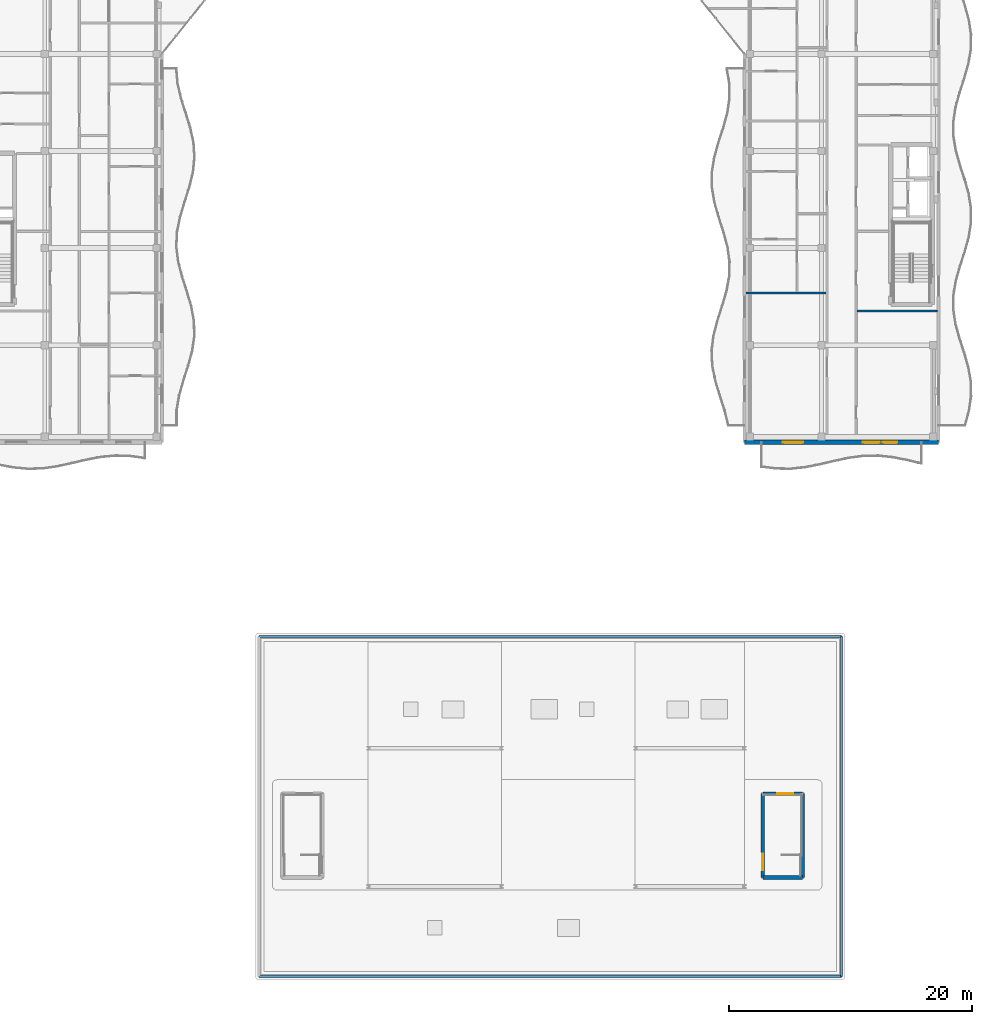
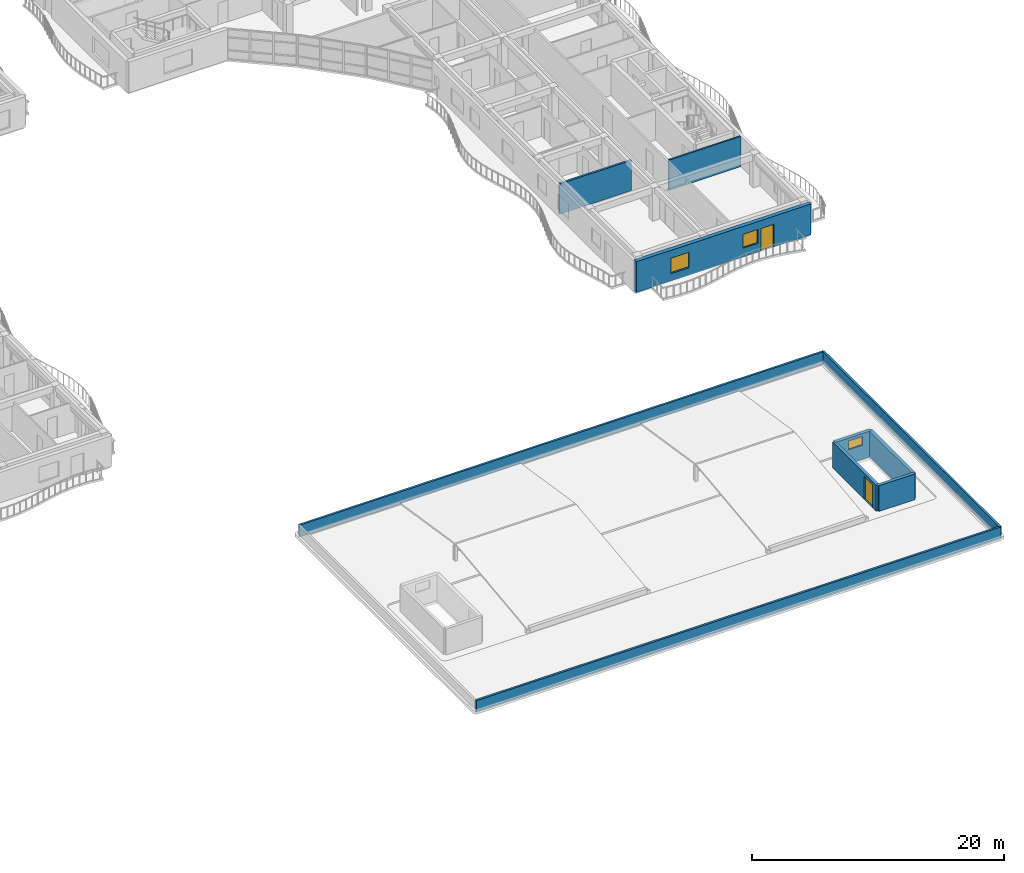
# One storey, part 49 of 79: 10 walls, 3 windows, 2 doors, 5 openings.
"""IFC4 building model written with IfcOpenShell, lengths in metres."""

from ifc_helpers import new_model, si_unit, direction, frame, frame_2d, origin, place, context, subcontext, project, spatial, rectangle, extrude, material, layer, layer_set, type_object, element, fill, save


model = new_model("IFC4")

# Units and contexts
model_context = context("Model", 3, precision=1e-05, world=origin(), true_north=direction((0.0, 1.0)))
body_context = subcontext(model_context, "Body", "Model", "MODEL_VIEW")
ifc_project = project(units=[si_unit("LENGTHUNIT", "METRE"), si_unit("AREAUNIT", "SQUARE_METRE"), si_unit("VOLUMEUNIT", "CUBIC_METRE"), si_unit("PLANEANGLEUNIT", "RADIAN"), si_unit("MASSUNIT", "GRAM", prefix="KILO")], contexts=[model_context])

# Site, building, storey
site_placement = place(None, origin())
site = spatial("IfcSite", under=ifc_project, at=site_placement, CompositionType="ELEMENT")
building_placement = place(site_placement, origin())
building = spatial("IfcBuilding", under=site, at=building_placement, Name="Keldmere Railside Commons", CompositionType="ELEMENT")
storey_placement = place(building_placement, frame((0.0, 0.0, 10.56005859375)))
storey = spatial("IfcBuildingStorey", under=building, at=storey_placement, Name="L03", CompositionType="ELEMENT", Elevation=10.56005859375)

# Wall
ifc_material_1 = material(Name="Acoustic Gypsum Board Partition", Category="gypsum")
ifc_layer_1 = layer(ifc_material_1, 0.179931640625, Name="Acoustic Demising Partition 180")
ifc_layer_set_1 = layer_set([ifc_layer_1], Name="Acoustic Gypsum Board Partition")
wall_type_1 = type_object("IfcWallType", Name="Acoustic Demising Partition 180", PredefinedType="PARTITIONING", material=ifc_layer_set_1)
wall_1_placement = place(storey_placement, frame((168.1298828125, 68.31005859375, 0.0), z_axis=(0.0, 0.0, 1.0), x_axis=(1.0, 0.0, 0.0)))
element("IfcWall", 1, at=wall_1_placement, inside=storey, type_object=wall_type_1, Name="IW-1 IW-L03-1517", PredefinedType="PARTITIONING", context=body_context, shape_type="SweptSolid", body=[
    extrude(rectangle(XDim=6.590087890625, YDim=0.179931640625, at=frame_2d((3.294921875, 0.0))), origin(), (0.0, 0.0, 1.0), 2.93505859375),
])

# Wall, openings, door, windows
ifc_material_2 = material(Name="Concrete H-35 (C35/45)", Category="concrete")
ifc_layer_2 = layer(ifc_material_2, 0.360107421875, Name="Exterior Shear Wall 360")
ifc_layer_set_2 = layer_set([ifc_layer_2], Name="Concrete H-35 (C35/45)")
wall_type_2 = type_object("IfcWallType", Name="Exterior Shear Wall 360", PredefinedType="SHEAR", material=ifc_layer_set_2)
wall_2_placement = place(storey_placement, frame((184.0, 56.0, 0.0), z_axis=(0.0, 0.0, 1.0), x_axis=(-1.0, 0.0, 0.0)))
wall_2 = element("IfcWall", 2, at=wall_2_placement, inside=storey, type_object=wall_type_2, Name="ESW-1 EXTA-L03-0896", PredefinedType="SHEAR", context=body_context, shape_type="SweptSolid", body=[
    extrude(rectangle(XDim=16.0, YDim=0.360107421875, at=frame_2d((8.0, 0.0))), origin(), (0.0, 0.0, 1.0), 2.97998046875),
])
opening_1_placement = place(wall_2_placement, frame((3.39990234375, 0.0, 0.0)))
opening_1 = element("IfcOpeningElement", 3, at=opening_1_placement, cuts=wall_2, Name="Opening BD-01", PredefinedType="OPENING", context=body_context, shape_type="SweptSolid", body=[
    extrude(rectangle(XDim=1.199951171875, YDim=2.199951171875, at=frame_2d((0.60009765625, 1.10009765625))), frame((0.0, 0.18994140625, 0.0), z_axis=(0.0, -1.0, 0.0), x_axis=(1.0, 0.0, 0.0)), (0.0, 0.0, 1.0), 0.380126953125),
])
opening_2_placement = place(wall_2_placement, frame((4.85009765625, 0.0, 0.8701171875)))
opening_2 = element("IfcOpeningElement", 4, at=opening_2_placement, cuts=wall_2, Name="Opening WN-08", PredefinedType="OPENING", context=body_context, shape_type="SweptSolid", body=[
    extrude(rectangle(XDim=1.39990234375, YDim=1.35009765625, at=frame_2d((0.699951171875, 0.675048828125))), frame((0.0, 0.18994140625, 0.0), z_axis=(0.0, -1.0, 0.0), x_axis=(1.0, 0.0, 0.0)), (0.0, 0.0, 1.0), 0.380126953125),
])
opening_3_placement = place(wall_2_placement, frame((11.159912109375, 0.0, 0.719970703125)))
opening_3 = element("IfcOpeningElement", 5, at=opening_3_placement, cuts=wall_2, Name="Opening WN-40", PredefinedType="OPENING", context=body_context, shape_type="SweptSolid", body=[
    extrude(rectangle(XDim=1.679931640625, YDim=1.5, at=frame_2d((0.83984375, 0.75))), frame((0.0, 0.18994140625, 0.0), z_axis=(0.0, -1.0, 0.0), x_axis=(1.0, 0.0, 0.0)), (0.0, 0.0, 1.0), 0.380126953125),
])
ifc_material_3 = material(Name="Thermally Broken Aluminium", Category="aluminium")
door_type_1 = type_object("IfcDoorType", Name="Apartment Living Wave-Balcony Glazed Door 1200x2200", OperationType="NOTDEFINED", PredefinedType="DOOR", material=ifc_material_3)
door_1_placement = place(opening_1_placement, origin())
door_1 = element("IfcDoor", 6, at=door_1_placement, inside=storey, type_object=door_type_1, Name="BD-01 DR-L03-0232", OperationType="SINGLE_SWING_RIGHT", OverallHeight=2.199951171875, OverallWidth=1.199951171875, PredefinedType="DOOR", context=body_context, shape_type="SweptSolid", body=[
    extrude(rectangle(XDim=1.199951171875, YDim=2.199951171875, at=frame_2d((0.60009765625, 1.10009765625))), frame((0.0, 0.02490234375, 0.0), z_axis=(0.0, -1.0, 0.0), x_axis=(1.0, 0.0, 0.0)), (0.0, 0.0, 1.0), 0.050048828125),
])
fill(opening_1, door_1)
ifc_material_4 = material(Name="Low-E Insulated Double Glazing", Category="glass")
window_type_1 = type_object("IfcWindowType", Name="Primary Bedroom East/West Window 1400x1350", PartitioningType="SINGLE_PANEL", PredefinedType="WINDOW", material=ifc_material_4)
window_1_placement = place(opening_2_placement, origin())
window_1 = element("IfcWindow", 7, at=window_1_placement, inside=storey, type_object=window_type_1, Name="WN-08 WIN-L03-0623", OverallHeight=1.35009765625, OverallWidth=1.39990234375, PartitioningType="SINGLE_PANEL", PredefinedType="WINDOW", context=body_context, shape_type="SweptSolid", body=[
    extrude(rectangle(XDim=1.39990234375, YDim=1.35009765625, at=frame_2d((0.699951171875, 0.675048828125))), frame((0.0, 0.030029296875, 0.0), z_axis=(0.0, -1.0, 0.0), x_axis=(1.0, 0.0, 0.0)), (0.0, 0.0, 1.0), 0.06005859375),
])
fill(opening_2, window_1)
window_type_2 = type_object("IfcWindowType", Name="Two-Bed Dining Casement Window 1680x1500", PartitioningType="SINGLE_PANEL", PredefinedType="WINDOW", material=ifc_material_4)
window_2_placement = place(opening_3_placement, origin())
window_2 = element("IfcWindow", 8, at=window_2_placement, inside=storey, type_object=window_type_2, Name="WN-40 WIN-L03-0624", OverallHeight=1.5, OverallWidth=1.679931640625, PartitioningType="SINGLE_PANEL", PredefinedType="WINDOW", context=body_context, shape_type="SweptSolid", body=[
    extrude(rectangle(XDim=1.679931640625, YDim=1.5, at=frame_2d((0.83984375, 0.75))), frame((0.0, 0.030029296875, 0.0), z_axis=(0.0, -1.0, 0.0), x_axis=(1.0, 0.0, 0.0)), (0.0, 0.0, 1.0), 0.06005859375),
])
fill(opening_3, window_2)

# Walls
ifc_layer_3 = layer(ifc_material_2, 0.300048828125, Name="Interior Shear Wall 300")
ifc_layer_set_3 = layer_set([ifc_layer_3], Name="Concrete H-35 (C35/45)")
wall_type_3 = type_object("IfcWallType", Name="Interior Shear Wall 300", PredefinedType="SHEAR", material=ifc_layer_set_3)
wall_3_placement = place(storey_placement, frame((172.800048828125, 20.14990234375, 0.0), z_axis=(0.0, 0.0, 1.0), x_axis=(-1.0, 0.0, 0.0)))
element("IfcWall", 9, at=wall_3_placement, inside=storey, type_object=wall_type_3, Name="ISW-2 WAL-ST-M2-L03-S", PredefinedType="SHEAR", context=body_context, shape_type="SweptSolid", body=[
    extrude(rectangle(XDim=3.2900390625, YDim=0.300048828125, at=frame_2d((1.64501953125, 0.0))), origin(), (0.0, 0.0, 1.0), 2.5),
])
wall_4_placement = place(storey_placement, frame((172.800048828125, 27.050048828125, 0.0), z_axis=(0.0, 0.0, 1.0), x_axis=(0.0, -1.0, 0.0)))
element("IfcWall", 10, at=wall_4_placement, inside=storey, type_object=wall_type_3, Name="ISW-2 WAL-ST-M2-L03-E", PredefinedType="SHEAR", context=body_context, shape_type="SweptSolid", body=[
    extrude(rectangle(XDim=6.900146484375, YDim=0.300048828125, at=frame_2d((3.4501953125, 0.0))), origin(), (0.0, 0.0, 1.0), 2.5),
])

# Wall, opening, window
wall_5_placement = place(storey_placement, frame((169.510009765625, 27.050048828125, 0.0), z_axis=(0.0, 0.0, 1.0), x_axis=(1.0, 0.0, 0.0)))
wall_5 = element("IfcWall", 11, at=wall_5_placement, inside=storey, type_object=wall_type_3, Name="ISW-2 WAL-ST-M2-L03-N", PredefinedType="SHEAR", context=body_context, shape_type="SweptSolid", body=[
    extrude(rectangle(XDim=3.2900390625, YDim=0.300048828125, at=frame_2d((1.64501953125, 0.0))), origin(), (0.0, 0.0, 1.0), 2.5),
])
opening_4_placement = place(wall_5_placement, frame((1.199951171875, 0.0, 1.3701171875)))
opening_4 = element("IfcOpeningElement", 12, at=opening_4_placement, cuts=wall_5, Name="Opening WN-37", PredefinedType="OPENING", context=body_context, shape_type="SweptSolid", body=[
    extrude(rectangle(XDim=1.300048828125, YDim=0.85009765625, at=frame_2d((0.64990234375, 0.425048828125))), frame((0.0, 0.159912109375, 0.0), z_axis=(0.0, -1.0, 0.0), x_axis=(1.0, 0.0, 0.0)), (0.0, 0.0, 1.0), 0.320068359375),
])
window_type_3 = type_object("IfcWindowType", Name="Headhouse Louvre-Glazed Clerestory 1300x850", PartitioningType="SINGLE_PANEL", PredefinedType="WINDOW", material=ifc_material_4)
window_3_placement = place(opening_4_placement, origin())
window_3 = element("IfcWindow", 13, at=window_3_placement, inside=storey, type_object=window_type_3, Name="WN-37 WIN-L03-0848", OverallHeight=0.85009765625, OverallWidth=1.300048828125, PartitioningType="SINGLE_PANEL", PredefinedType="WINDOW", context=body_context, shape_type="SweptSolid", body=[
    extrude(rectangle(XDim=1.300048828125, YDim=0.85009765625, at=frame_2d((0.64990234375, 0.425048828125))), frame((0.0, 0.030029296875, 0.0), z_axis=(0.0, -1.0, 0.0), x_axis=(1.0, 0.0, 0.0)), (0.0, 0.0, 1.0), 0.06005859375),
])
fill(opening_4, window_3)

# Wall, opening, door
wall_6_placement = place(storey_placement, frame((169.510009765625, 20.14990234375, 0.0), z_axis=(0.0, 0.0, 1.0), x_axis=(0.0, 1.0, 0.0)))
wall_6 = element("IfcWall", 14, at=wall_6_placement, inside=storey, type_object=wall_type_3, Name="ISW-2 WAL-ST-M2-L03-W", PredefinedType="SHEAR", context=body_context, shape_type="SweptSolid", body=[
    extrude(rectangle(XDim=6.900146484375, YDim=0.300048828125, at=frame_2d((3.4501953125, 0.0))), origin(), (0.0, 0.0, 1.0), 2.5),
])
opening_5_placement = place(wall_6_placement, frame((0.60009765625, 0.0, 0.0)))
opening_5 = element("IfcOpeningElement", 15, at=opening_5_placement, cuts=wall_6, Name="Opening BD-03", PredefinedType="OPENING", context=body_context, shape_type="SweptSolid", body=[
    extrude(rectangle(XDim=1.35009765625, YDim=2.199951171875, at=frame_2d((0.675048828125, 1.10009765625))), frame((0.0, 0.159912109375, 0.0), z_axis=(0.0, -1.0, 0.0), x_axis=(1.0, 0.0, 0.0)), (0.0, 0.0, 1.0), 0.320068359375),
])
door_type_2 = type_object("IfcDoorType", Name="Planted Roof-Terrace Lounge Door 1350x2200", OperationType="NOTDEFINED", PredefinedType="DOOR", material=ifc_material_3)
door_2_placement = place(opening_5_placement, origin())
door_2 = element("IfcDoor", 16, at=door_2_placement, inside=storey, type_object=door_type_2, Name="BD-03 Arcade Roof Terrace Door 2", OperationType="SINGLE_SWING_LEFT", OverallHeight=2.199951171875, OverallWidth=1.35009765625, PredefinedType="DOOR", context=body_context, shape_type="SweptSolid", body=[
    extrude(rectangle(XDim=1.35009765625, YDim=2.199951171875, at=frame_2d((0.675048828125, 1.10009765625))), frame((0.0, 0.02490234375, 0.0), z_axis=(0.0, -1.0, 0.0), x_axis=(1.0, 0.0, 0.0)), (0.0, 0.0, 1.0), 0.050048828125),
])
fill(opening_5, door_2)

# Walls
ifc_layer_4 = layer(ifc_material_1, 0.14990234375, Name="Lobby Rated Partition 150")
ifc_layer_set_4 = layer_set([ifc_layer_4], Name="Acoustic Gypsum Board Partition")
wall_type_4 = type_object("IfcWallType", Name="Lobby Rated Partition 150", PredefinedType="PARTITIONING", material=ifc_layer_set_4)
wall_7_placement = place(storey_placement, frame((177.280029296875, 66.820068359375, 0.0), z_axis=(0.0, 0.0, 1.0), x_axis=(1.0, 0.0, 0.0)))
element("IfcWall", 17, at=wall_7_placement, inside=storey, type_object=wall_type_4, Name="IW-3 IW-L03-1506", PredefinedType="PARTITIONING", context=body_context, shape_type="SweptSolid", body=[
    extrude(rectangle(XDim=6.590087890625, YDim=0.14990234375, at=frame_2d((3.294921875, 0.0))), origin(), (0.0, 0.0, 1.0), 2.93505859375),
])
ifc_material_5 = material(Name="Architectural Precast Concrete H-35 (C35/45)", Category="concrete")
ifc_layer_5 = layer(ifc_material_5, 0.18994140625, Name="Roof Parapet Wall 190")
ifc_layer_set_5 = layer_set([ifc_layer_5], Name="Architectural Precast Concrete H-35 (C35/45)")
wall_type_5 = type_object("IfcWallType", Name="Roof Parapet Wall 190", PredefinedType="PARAPET", material=ifc_layer_set_5)
for number, where, z_axis, x_axis, name in (
    (18, (176.0, 12.0, 0.0), (0.0, 0.0, 1.0), (-1.0, 0.0, 0.0), "PW-1 ARCP-L03-1031"),
    (19, (128.0, 40.0, 0.0), (0.0, 0.0, 1.0), (1.0, 0.0, 0.0), "PW-1 ARCP-L03-1033"),
):
    element("IfcWall", number, at=place(storey_placement, frame(where, z_axis=z_axis, x_axis=x_axis)), inside=storey, type_object=wall_type_5, Name=name, PredefinedType="PARAPET", context=body_context, shape_type="SweptSolid", body=[
        extrude(rectangle(XDim=48.0, YDim=0.18994140625, at=frame_2d((24.0, 0.0))), origin(), (0.0, 0.0, 1.0), 1.14990234375),
    ])
wall_8_placement = place(storey_placement, frame((176.0, 40.0, 0.0), z_axis=(0.0, 0.0, 1.0), x_axis=(0.0, -1.0, 0.0)))
element("IfcWall", 20, at=wall_8_placement, inside=storey, type_object=wall_type_5, Name="PW-1 ARCP-L03-1034", PredefinedType="PARAPET", context=body_context, shape_type="SweptSolid", body=[
    extrude(rectangle(XDim=28.0, YDim=0.18994140625, at=frame_2d((14.0, 0.0))), origin(), (0.0, 0.0, 1.0), 1.14990234375),
])

save(model, "model.ifc")
